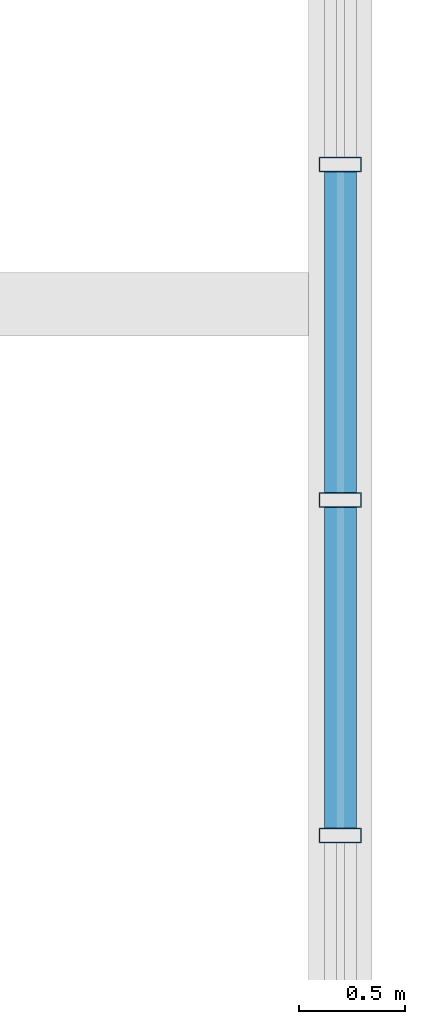
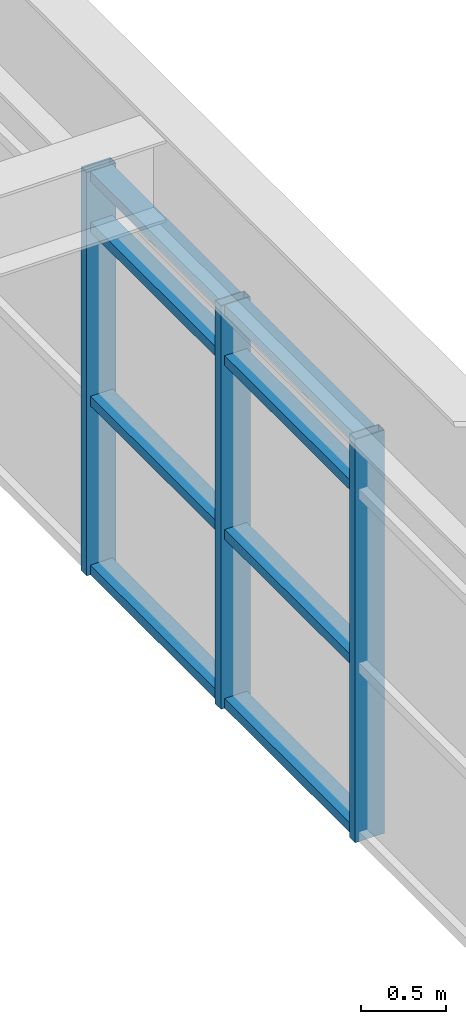
# One storey, part 15 of 28: 11 members, 1 element without a shape of its own.
"""IFC4 building model written with IfcOpenShell, lengths in metres."""

from ifc_helpers import new_model, si_unit, direction, frame, origin, origin_2d, place, context, subcontext, project, spatial, hollow_rectangle, extrude, source, transform, mapped, material, layer, layer_set, material_profile, profile_set, type_object, element, aggregate, save


model = new_model("IFC4")

# Units and contexts
model_context = context("Model", 3, precision=1e-05, world=origin(), true_north=direction((0.0, 1.0)))
body_context = subcontext(model_context, "Body", "Model", "MODEL_VIEW")
ifc_project = project(units=[si_unit("LENGTHUNIT", "METRE"), si_unit("AREAUNIT", "SQUARE_METRE"), si_unit("VOLUMEUNIT", "CUBIC_METRE"), si_unit("PLANEANGLEUNIT", "RADIAN"), si_unit("MASSUNIT", "GRAM", prefix="KILO")], contexts=[model_context])

# Site, building, storey
site_placement = place(None, origin())
site = spatial("IfcSite", under=ifc_project, at=site_placement, CompositionType="ELEMENT")
building_placement = place(site_placement, origin())
building = spatial("IfcBuilding", under=site, at=building_placement, Name="Saelheon Loggia Tower", CompositionType="ELEMENT")
storey_placement = place(building_placement, frame((0.0, 0.0, 271.199951171875)))
storey = spatial("IfcBuildingStorey", under=building, at=storey_placement, Name="CR6", CompositionType="ELEMENT", Elevation=271.199951171875)

# Curtain wall, members
ifc_material_1 = material(Name="Bronze-Anodised Aluminium and Fritted Ceramic Screen", Category="aluminium")
ifc_layer = layer(ifc_material_1, 0.219970703125)
ifc_layer_set = layer_set([ifc_layer], Name="Bronze-Anodised Aluminium and Fritted Ceramic Screen")
curtain_wall_type = type_object("IfcCurtainWallType", Name="CW_CrownScreen", PredefinedType="NOTDEFINED", material=ifc_layer_set)
curtain_wall_placement = place(storey_placement, origin())
curtain_wall = element("IfcCurtainWall", 1, at=curtain_wall_placement, inside=storey, type_object=curtain_wall_type, Name="CR6 Crown Screen Curtain Wall 3-2", PredefinedType="NOTDEFINED")
ifc_material_2 = material(Name="Bronze-Anodised Aluminium 6063-T6", Category="aluminium")
ifc_material_profile_1 = material_profile(ifc_material_2, hollow_rectangle(XDim=0.070068359375, YDim=0.14990234375, WallThickness=0.0048828125, at=origin_2d()), Name="RHS-150x70x5")
ifc_profile_set_1 = profile_set([ifc_material_profile_1], Name="Bronze-Anodised Aluminium 6063-T6")
member_type_1 = type_object("IfcMemberType", Name="CW_CrownScreen_Transom", PredefinedType="USERDEFINED", material=ifc_profile_set_1)
shared_shape_1 = source(origin(), body_context, "Body", "SweptSolid", [
    extrude(hollow_rectangle(XDim=0.070068359375, YDim=0.14990234375, WallThickness=0.0048828125, at=origin_2d()), origin(), (0.0, 0.0, 1.0), 1.51171875),
])
member_1_placement = place(storey_placement, frame((52.64990234375, 23.08056640625, 0.03515625), z_axis=(0.0, 1.0, 0.0), x_axis=(0.0, 0.0, 1.0)))
member_1 = element("IfcMember", 2, at=member_1_placement, type_object=member_type_1, Name="CW6 transom 4.1", ObjectType="TRANSOM", PredefinedType="USERDEFINED", context=body_context, shape_type="MappedRepresentation", body=[
    mapped(shared_shape_1, transform((0.0, 0.0, 0.0), scale=1.0)),
])
member_2_placement = place(storey_placement, frame((52.64990234375, 23.08056640625, 1.25), z_axis=(0.0, 1.0, 0.0), x_axis=(0.0, 0.0, 1.0)))
member_2 = element("IfcMember", 3, at=member_2_placement, type_object=member_type_1, Name="CW6 transom 4.2", ObjectType="TRANSOM", PredefinedType="USERDEFINED", context=body_context, shape_type="MappedRepresentation", body=[
    mapped(shared_shape_1, transform((0.0, 0.0, 0.0), scale=1.0)),
])
member_3_placement = place(storey_placement, frame((52.64990234375, 23.08056640625, 2.5), z_axis=(0.0, 1.0, 0.0), x_axis=(0.0, 0.0, 1.0)))
member_3 = element("IfcMember", 4, at=member_3_placement, type_object=member_type_1, Name="CW6 transom 4.3", ObjectType="TRANSOM", PredefinedType="USERDEFINED", context=body_context, shape_type="MappedRepresentation", body=[
    mapped(shared_shape_1, transform((0.0, 0.0, 0.0), scale=1.0)),
])
member_4_placement = place(storey_placement, frame((52.64990234375, 23.08056640625, 2.864990234375), z_axis=(0.0, 1.0, 0.0), x_axis=(0.0, 0.0, 1.0)))
member_4 = element("IfcMember", 5, at=member_4_placement, type_object=member_type_1, Name="CW6 transom 4.4", ObjectType="TRANSOM", PredefinedType="USERDEFINED", context=body_context, shape_type="MappedRepresentation", body=[
    mapped(shared_shape_1, transform((0.0, 0.0, 0.0), scale=1.0)),
])
member_5_placement = place(storey_placement, frame((52.64990234375, 24.662353515625, 0.03515625), z_axis=(0.0, 1.0, 0.0), x_axis=(0.0, 0.0, 1.0)))
member_5 = element("IfcMember", 6, at=member_5_placement, type_object=member_type_1, Name="CW6 transom 5.1", ObjectType="TRANSOM", PredefinedType="USERDEFINED", context=body_context, shape_type="MappedRepresentation", body=[
    mapped(shared_shape_1, transform((0.0, 0.0, 0.0), scale=1.0)),
])
member_6_placement = place(storey_placement, frame((52.64990234375, 24.662353515625, 1.25), z_axis=(0.0, 1.0, 0.0), x_axis=(0.0, 0.0, 1.0)))
member_6 = element("IfcMember", 7, at=member_6_placement, type_object=member_type_1, Name="CW6 transom 5.2", ObjectType="TRANSOM", PredefinedType="USERDEFINED", context=body_context, shape_type="MappedRepresentation", body=[
    mapped(shared_shape_1, transform((0.0, 0.0, 0.0), scale=1.0)),
])
member_7_placement = place(storey_placement, frame((52.64990234375, 24.662353515625, 2.5), z_axis=(0.0, 1.0, 0.0), x_axis=(0.0, 0.0, 1.0)))
member_7 = element("IfcMember", 8, at=member_7_placement, type_object=member_type_1, Name="CW6 transom 5.3", ObjectType="TRANSOM", PredefinedType="USERDEFINED", context=body_context, shape_type="MappedRepresentation", body=[
    mapped(shared_shape_1, transform((0.0, 0.0, 0.0), scale=1.0)),
])
member_8_placement = place(storey_placement, frame((52.64990234375, 24.662353515625, 2.864990234375), z_axis=(0.0, 1.0, 0.0), x_axis=(0.0, 0.0, 1.0)))
member_8 = element("IfcMember", 9, at=member_8_placement, type_object=member_type_1, Name="CW6 transom 5.4", ObjectType="TRANSOM", PredefinedType="USERDEFINED", context=body_context, shape_type="MappedRepresentation", body=[
    mapped(shared_shape_1, transform((0.0, 0.0, 0.0), scale=1.0)),
])
ifc_material_profile_2 = material_profile(ifc_material_2, hollow_rectangle(XDim=0.070068359375, YDim=0.199951171875, WallThickness=0.0048828125, at=origin_2d()), Name="RHS-200x70x5")
ifc_profile_set_2 = profile_set([ifc_material_profile_2], Name="Bronze-Anodised Aluminium 6063-T6")
member_type_2 = type_object("IfcMemberType", Name="CW_CrownScreen_Mullion", PredefinedType="MULLION", material=ifc_profile_set_2)
shared_shape_2 = source(origin(), body_context, "Body", "SweptSolid", [
    extrude(hollow_rectangle(XDim=0.070068359375, YDim=0.199951171875, WallThickness=0.0048828125, at=origin_2d()), origin(), (0.0, 0.0, 1.0), 2.900146484375),
])
member_9_placement = place(storey_placement, frame((52.64990234375, 23.04541015625, 0.0), z_axis=(0.0, 0.0, 1.0), x_axis=(0.0, 1.0, 0.0)))
member_9 = element("IfcMember", 10, at=member_9_placement, type_object=member_type_2, Name="CW6 mullion 4", PredefinedType="MULLION", context=body_context, shape_type="MappedRepresentation", body=[
    mapped(shared_shape_2, transform((0.0, 0.0, 0.0), scale=1.0)),
])
member_10_placement = place(storey_placement, frame((52.64990234375, 24.627197265625, 0.0), z_axis=(0.0, 0.0, 1.0), x_axis=(0.0, 1.0, 0.0)))
member_10 = element("IfcMember", 11, at=member_10_placement, type_object=member_type_2, Name="CW6 mullion 5", PredefinedType="MULLION", context=body_context, shape_type="MappedRepresentation", body=[
    mapped(shared_shape_2, transform((0.0, 0.0, 0.0), scale=1.0)),
])
member_11_placement = place(storey_placement, frame((52.64990234375, 26.208984375, 0.0), z_axis=(0.0, 0.0, 1.0), x_axis=(0.0, 1.0, 0.0)))
member_11 = element("IfcMember", 12, at=member_11_placement, type_object=member_type_2, Name="CW6 mullion 6", PredefinedType="MULLION", context=body_context, shape_type="MappedRepresentation", body=[
    mapped(shared_shape_2, transform((0.0, 0.0, 0.0), scale=1.0)),
])
aggregate(curtain_wall, [member_9, member_10, member_11, member_1, member_2, member_3, member_4, member_5, member_6, member_7, member_8])

save(model, "model.ifc")
